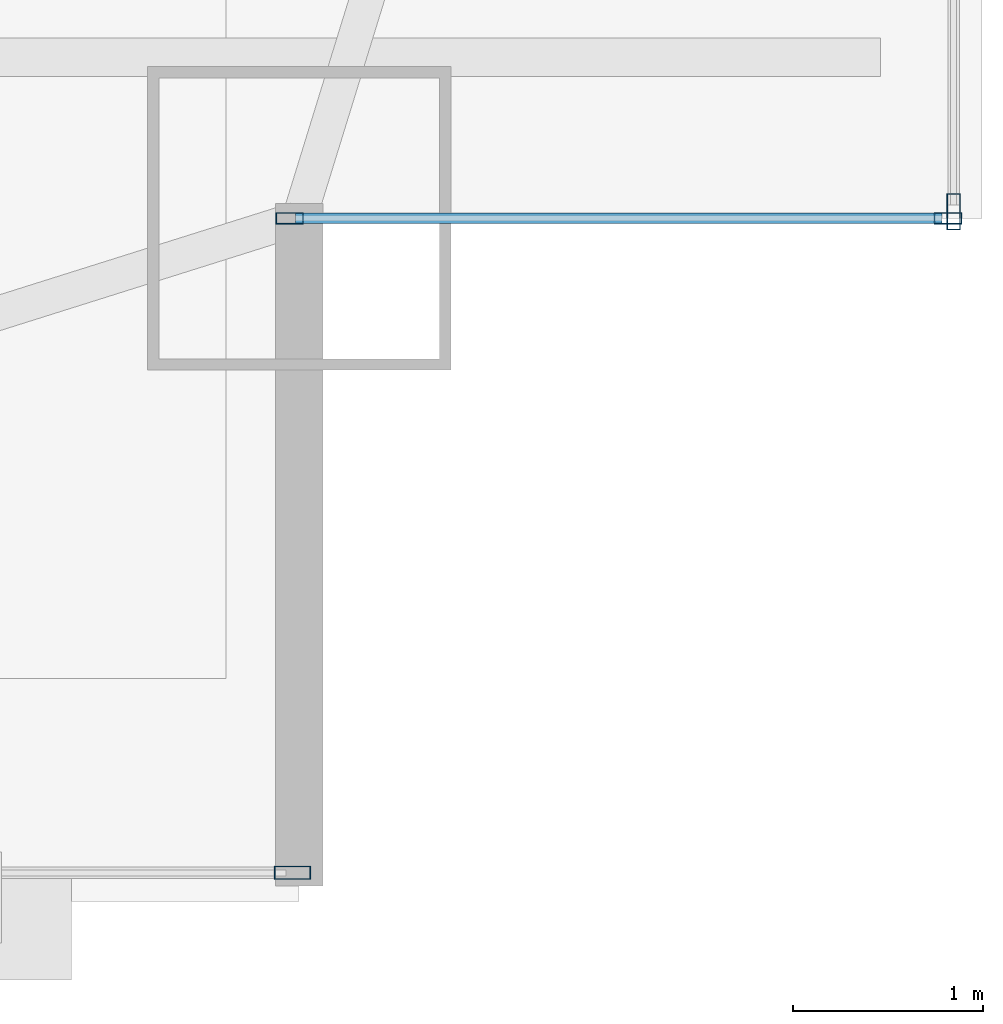
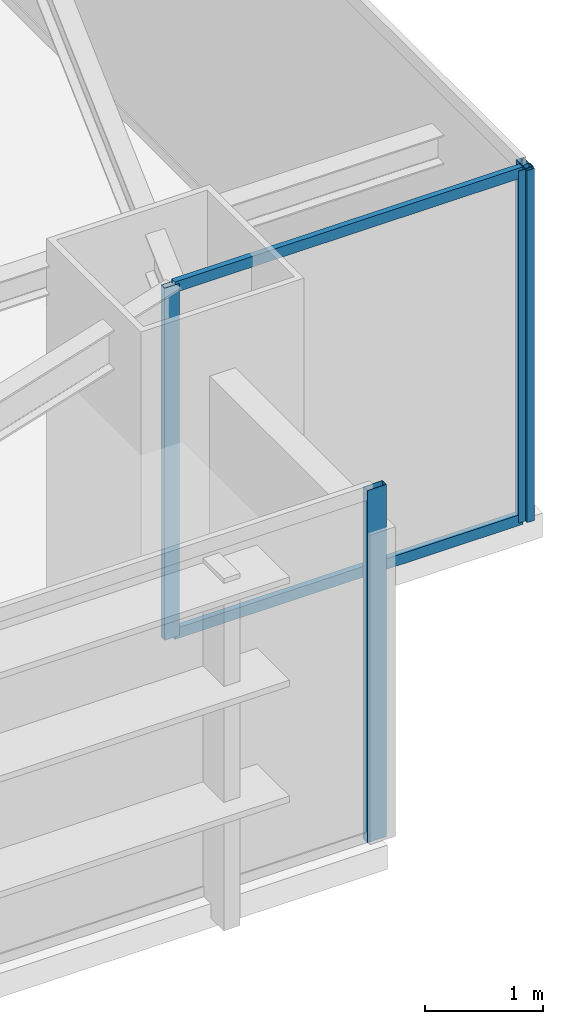
# One storey, part 16 of 32: 6 members, 3 elements without a shape of their own.
"""IFC4 building model written with IfcOpenShell, lengths in metres."""

from ifc_helpers import new_model, si_unit, direction, frame, origin, origin_2d, place, context, subcontext, project, spatial, hollow_rectangle, extrude, source, transform, mapped, material, layer, layer_set, material_profile, profile_set, type_object, type_shapes, element, aggregate, save


model = new_model("IFC4")

# Units and contexts
model_context = context("Model", 3, precision=1e-05, world=origin(), true_north=direction((0.0, 1.0)))
body_context = subcontext(model_context, "Body", "Model", "MODEL_VIEW")
ifc_project = project(units=[si_unit("LENGTHUNIT", "METRE"), si_unit("AREAUNIT", "SQUARE_METRE"), si_unit("VOLUMEUNIT", "CUBIC_METRE"), si_unit("PLANEANGLEUNIT", "RADIAN"), si_unit("MASSUNIT", "GRAM", prefix="KILO")], contexts=[model_context])

# Site, building, storey
site_placement = place(None, origin())
site = spatial("IfcSite", under=ifc_project, at=site_placement, CompositionType="ELEMENT")
building_placement = place(site_placement, origin())
building = spatial("IfcBuilding", under=site, at=building_placement, Name="Varnel Quay Broadcast Tower", CompositionType="ELEMENT")
storey_placement = place(building_placement, frame((0.0, 0.0, 70.5)))
storey = spatial("IfcBuildingStorey", under=building, at=storey_placement, Name="L16", CompositionType="ELEMENT", Elevation=70.5)

# Curtain wall, member
ifc_material = material(Name="Anodised Bronze Aluminium 6063-T6", Category="aluminium")
ifc_layer_1 = layer(ifc_material, 0.18994140625, Name="Anodised Bronze Aluminium 6063-T6")
ifc_layer_set_1 = layer_set([ifc_layer_1], Name="Anodised Bronze Aluminium 6063-T6")
curtain_wall_type_1 = type_object("IfcCurtainWallType", Name="CW_LowerTower", PredefinedType="NOTDEFINED", material=ifc_layer_set_1)
curtain_wall_1_placement = place(storey_placement, origin())
curtain_wall_1 = element("IfcCurtainWall", 1, at=curtain_wall_1_placement, inside=storey, type_object=curtain_wall_type_1, Name="L16 South Unitised Curtain Wall 1", PredefinedType="NOTDEFINED")
ifc_material_profile_1 = material_profile(ifc_material, hollow_rectangle(XDim=0.070068359375, YDim=0.18994140625, WallThickness=0.00390625, at=origin_2d()), Name="ALU70X190X4")
ifc_profile_set_1 = profile_set([ifc_material_profile_1], Name="Anodised Bronze Aluminium 6063-T6")
member_type_1 = type_object("IfcMemberType", Name="Mull_CWS-02", PredefinedType="MULLION", material=ifc_profile_set_1)
shared_shape_1 = source(origin(), body_context, "Body", "SweptSolid", [
    extrude(hollow_rectangle(XDim=0.070068359375, YDim=0.18994140625, WallThickness=0.00390625, at=origin_2d()), origin(), (0.0, 0.0, 1.0), 3.64990234375),
])
type_shapes(member_type_1, [shared_shape_1])
member_1_placement = place(storey_placement, frame((62.364990234375, 1.35009765625, 0.0), z_axis=(0.0, 0.0, 1.0), x_axis=(0.0, 1.0, 0.0)))
member_1 = element("IfcMember", 2, at=member_1_placement, type_object=member_type_1, Name="CWS-02 mullion 6", PredefinedType="MULLION", context=body_context, shape_type="MappedRepresentation", body=[
    mapped(shared_shape_1, transform((0.0, 0.0, 0.0), x_axis=(1.0, 0.0, 0.0), y_axis=(0.0, 1.0, 0.0), z_axis=(0.0, 0.0, 1.0), scale=1.0)),
])
aggregate(curtain_wall_1, [member_1])

curtain_wall_2_placement = place(storey_placement, origin())
curtain_wall_2 = element("IfcCurtainWall", 3, at=curtain_wall_2_placement, inside=storey, type_object=curtain_wall_type_1, Name="L16 East Unitised Curtain Wall", PredefinedType="NOTDEFINED")
member_2_placement = place(storey_placement, frame((65.85009765625, 4.8349609375, 0.0), z_axis=(0.0, 0.0, 1.0), x_axis=(-1.0, 0.0, 0.0)))
member_2 = element("IfcMember", 4, at=member_2_placement, type_object=member_type_1, Name="CWS-02 mullion 1", PredefinedType="MULLION", context=body_context, shape_type="MappedRepresentation", body=[
    mapped(shared_shape_1, transform((0.0, 0.0, 0.0), x_axis=(1.0, 0.0, 0.0), y_axis=(0.0, 1.0, 0.0), z_axis=(0.0, 0.0, 1.0), scale=1.0)),
])
aggregate(curtain_wall_2, [member_2])

# Curtain wall, members
ifc_layer_2 = layer(ifc_material, 0.18994140625, Name="Anodised Bronze Aluminium 6063-T6")
ifc_layer_set_2 = layer_set([ifc_layer_2], Name="Anodised Bronze Aluminium 6063-T6")
curtain_wall_type_2 = type_object("IfcCurtainWallType", Name="CW_NotchCorner", PredefinedType="NOTDEFINED", material=ifc_layer_set_2)
curtain_wall_3_placement = place(storey_placement, origin())
curtain_wall_3 = element("IfcCurtainWall", 5, at=curtain_wall_3_placement, inside=storey, type_object=curtain_wall_type_2, Name="L16 SE Notch Curtain Wall", PredefinedType="NOTDEFINED")
ifc_material_profile_2 = material_profile(ifc_material, hollow_rectangle(XDim=0.06005859375, YDim=0.14501953125, WallThickness=0.00341796875, at=origin_2d()), Name="ALU60X145X3.5")
ifc_profile_set_2 = profile_set([ifc_material_profile_2], Name="Anodised Bronze Aluminium 6063-T6")
member_type_2 = type_object("IfcMemberType", Name="Mull_CWS-04", PredefinedType="MULLION", material=ifc_profile_set_2)
shared_shape_2 = source(origin(), body_context, "Body", "SweptSolid", [
    extrude(hollow_rectangle(XDim=0.06005859375, YDim=0.14501953125, WallThickness=0.00341796875, at=origin_2d()), origin(), (0.0, 0.0, 1.0), 3.64990234375),
])
type_shapes(member_type_2, [shared_shape_2])
member_3_placement = place(storey_placement, frame((62.35009765625, 4.800048828125, 0.0), z_axis=(0.0, 0.0, 1.0), x_axis=(0.0, 1.0, 0.0)))
member_3 = element("IfcMember", 6, at=member_3_placement, type_object=member_type_2, Name="CWS-04 mullion 1", PredefinedType="MULLION", context=body_context, shape_type="MappedRepresentation", body=[
    mapped(shared_shape_2, transform((0.0, 0.0, 0.0), x_axis=(1.0, 0.0, 0.0), y_axis=(0.0, 1.0, 0.0), z_axis=(0.0, 0.0, 1.0), scale=1.0)),
])
member_4_placement = place(storey_placement, frame((65.820068359375, 4.800048828125, 0.0), z_axis=(0.0, 0.0, 1.0), x_axis=(0.0, 1.0, 0.0)))
member_4 = element("IfcMember", 7, at=member_4_placement, type_object=member_type_2, Name="CWS-04 mullion 2", PredefinedType="MULLION", context=body_context, shape_type="MappedRepresentation", body=[
    mapped(shared_shape_2, transform((0.0, 0.0, 0.0), x_axis=(1.0, 0.0, 0.0), y_axis=(0.0, 1.0, 0.0), z_axis=(0.0, 0.0, 1.0), scale=1.0)),
])
ifc_material_profile_3 = material_profile(ifc_material, hollow_rectangle(XDim=0.054931640625, YDim=0.110107421875, WallThickness=0.0029296875, at=origin_2d()), Name="ALU55X110X3")
ifc_profile_set_3 = profile_set([ifc_material_profile_3], Name="Anodised Bronze Aluminium 6063-T6")
member_type_3 = type_object("IfcMemberType", Name="Tran_CWS-04", PredefinedType="USERDEFINED", material=ifc_profile_set_3)
shared_shape_3 = source(origin(), body_context, "Body", "SweptSolid", [
    extrude(hollow_rectangle(XDim=0.054931640625, YDim=0.110107421875, WallThickness=0.0029296875, at=origin_2d()), origin(), (0.0, 0.0, 1.0), 3.41015625),
])
type_shapes(member_type_3, [shared_shape_3])
member_5_placement = place(storey_placement, frame((62.3798828125, 4.800048828125, 0.027587890625), z_axis=(1.0, 0.0, 0.0), x_axis=(0.0, 1.0, 0.0)))
member_5 = element("IfcMember", 8, at=member_5_placement, type_object=member_type_3, Name="CWS-04 transom 1.1", ObjectType="TRANSOM", PredefinedType="USERDEFINED", context=body_context, shape_type="MappedRepresentation", body=[
    mapped(shared_shape_3, transform((0.0, 0.0, 0.0), x_axis=(1.0, 0.0, 0.0), y_axis=(0.0, 1.0, 0.0), z_axis=(0.0, 0.0, 1.0), scale=1.0)),
])
member_6_placement = place(storey_placement, frame((62.3798828125, 4.800048828125, 3.62255859375), z_axis=(1.0, 0.0, 0.0), x_axis=(0.0, 1.0, 0.0)))
member_6 = element("IfcMember", 9, at=member_6_placement, type_object=member_type_3, Name="CWS-04 transom 1.2", ObjectType="TRANSOM", PredefinedType="USERDEFINED", context=body_context, shape_type="MappedRepresentation", body=[
    mapped(shared_shape_3, transform((0.0, 0.0, 0.0), x_axis=(1.0, 0.0, 0.0), y_axis=(0.0, 1.0, 0.0), z_axis=(0.0, 0.0, 1.0), scale=1.0)),
])
aggregate(curtain_wall_3, [member_3, member_4, member_5, member_6])

save(model, "model.ifc")
